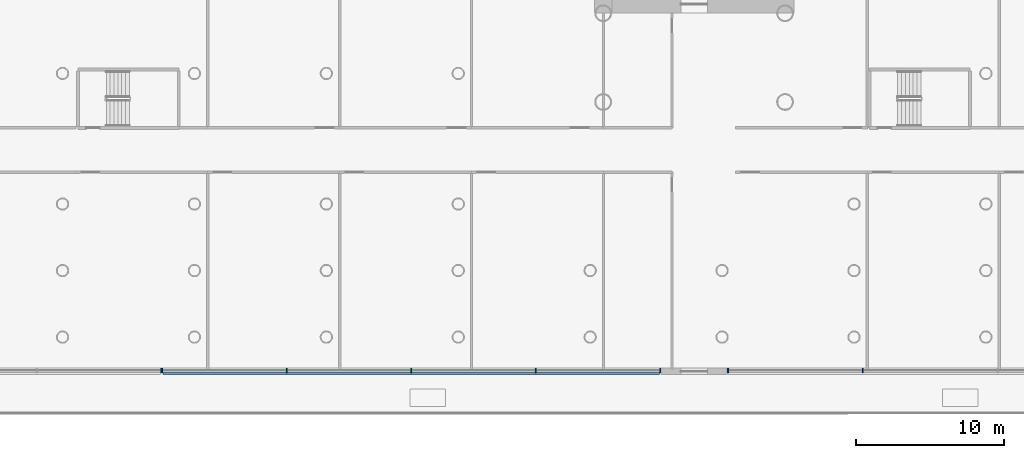
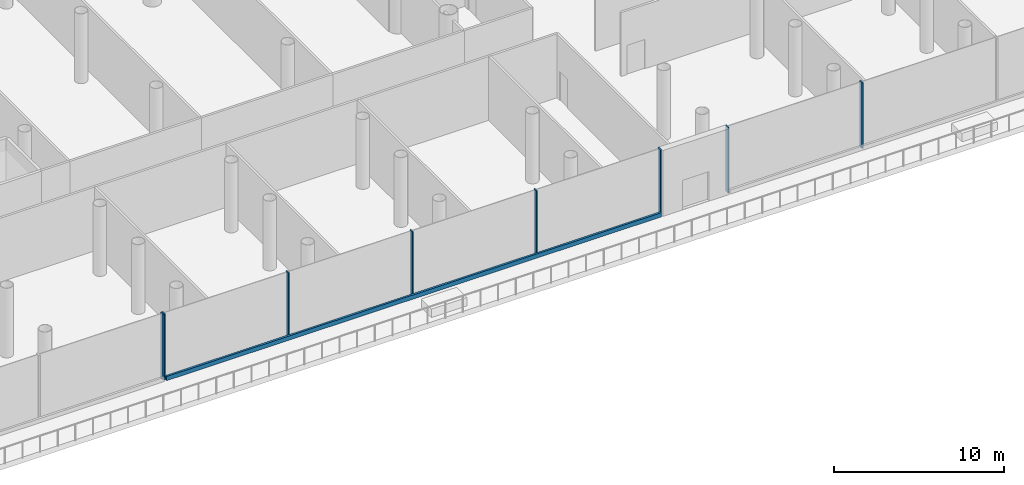
# One storey, part 8 of 59: 9 members, 3 elements without a shape of their own.
"""IFC4 building model written with IfcOpenShell, lengths in metres."""

from ifc_helpers import new_model, si_unit, direction, frame, origin, origin_2d, place, context, subcontext, project, spatial, rectangle, extrude, material, layer, layer_set, material_profile, profile_set, type_object, element, aggregate, save


model = new_model("IFC4")

# Units and contexts
model_context = context("Model", 3, precision=1e-05, world=origin(), true_north=direction((0.0, 1.0)))
body_context = subcontext(model_context, "Body", "Model", "MODEL_VIEW")
ifc_project = project(units=[si_unit("LENGTHUNIT", "METRE"), si_unit("AREAUNIT", "SQUARE_METRE"), si_unit("VOLUMEUNIT", "CUBIC_METRE"), si_unit("PLANEANGLEUNIT", "RADIAN"), si_unit("MASSUNIT", "GRAM", prefix="KILO")], contexts=[model_context])

# Site, building, storey
site_placement = place(None, origin())
site = spatial("IfcSite", under=ifc_project, at=site_placement, CompositionType="ELEMENT")
building_placement = place(site_placement, origin())
building = spatial("IfcBuilding", under=site, at=building_placement, Name="Ipe Terrace Towers", CompositionType="ELEMENT")
storey_placement = place(building_placement, frame((0.0, 0.0, 6.0)))
storey = spatial("IfcBuildingStorey", under=building, at=storey_placement, Name="L01", CompositionType="ELEMENT", Elevation=6.0)

# Curtain wall, member
ifc_material_1 = material(Name="Aluminium alloy 6063-T6", Category="aluminium")
ifc_layer = layer(ifc_material_1, 0.43994140625)
ifc_layer_set = layer_set([ifc_layer], Name="PODIUM GLAZING CURTAIN WALL")
curtain_wall_type = type_object("IfcCurtainWallType", Name="PODIUM GLAZING CURTAIN WALL", PredefinedType="NOTDEFINED", material=ifc_layer_set)
curtain_wall_1_placement = place(storey_placement, origin())
curtain_wall_1 = element("IfcCurtainWall", 1, at=curtain_wall_1_placement, inside=storey, type_object=curtain_wall_type, Name="POD-CW-L01-03c curtain wall", PredefinedType="NOTDEFINED")
ifc_material_2 = material(Name="Aluminium alloy 6063-T6", Category="aluminium")
ifc_material_profile_1 = material_profile(ifc_material_2, rectangle(XDim=0.300048828125, YDim=0.080078125, at=origin_2d()), Name="PODIUM GLAZING MULLION 300 x 80")
ifc_profile_set_1 = profile_set([ifc_material_profile_1], Name="Aluminium alloy 6063-T6")
member_type_1 = type_object("IfcMemberType", Name="PODIUM GLAZING MULLION 300 x 80", PredefinedType="MULLION", material=ifc_profile_set_1)
member_1_placement = place(storey_placement, frame((-0.0400390625, -39.89990234375, -0.02001953125), z_axis=(0.0, 0.0, 1.0), x_axis=(0.0, -1.0, 0.0)))
member_1 = element("IfcMember", 2, at=member_1_placement, type_object=member_type_1, Name="POD-CW-L01-03c mullion 5", PredefinedType="MULLION", context=body_context, shape_type="SweptSolid", body=[
    extrude(rectangle(XDim=0.300048828125, YDim=0.080078125, at=origin_2d()), origin(), (0.0, 0.0, 1.0), 4.719970703125),
])
aggregate(curtain_wall_1, [member_1])

# Curtain wall, members
curtain_wall_2_placement = place(storey_placement, origin())
curtain_wall_2 = element("IfcCurtainWall", 3, at=curtain_wall_2_placement, inside=storey, type_object=curtain_wall_type, Name="POD-CW-L01-03d curtain wall", PredefinedType="NOTDEFINED")
member_2_placement = place(storey_placement, frame((0.0400390625, -39.89990234375, -0.02001953125), z_axis=(0.0, 0.0, 1.0), x_axis=(0.0, -1.0, 0.0)))
member_2 = element("IfcMember", 4, at=member_2_placement, type_object=member_type_1, Name="POD-CW-L01-03d mullion 1", PredefinedType="MULLION", context=body_context, shape_type="SweptSolid", body=[
    extrude(rectangle(XDim=0.300048828125, YDim=0.080078125, at=origin_2d()), origin(), (0.0, 0.0, 1.0), 4.719970703125),
])
member_3_placement = place(storey_placement, frame((8.45751953125, -39.89990234375, -0.02001953125), z_axis=(0.0, 0.0, 1.0), x_axis=(0.0, -1.0, 0.0)))
member_3 = element("IfcMember", 5, at=member_3_placement, type_object=member_type_1, Name="POD-CW-L01-03d mullion 2", PredefinedType="MULLION", context=body_context, shape_type="SweptSolid", body=[
    extrude(rectangle(XDim=0.300048828125, YDim=0.080078125, at=origin_2d()), origin(), (0.0, 0.0, 1.0), 4.719970703125),
])
member_4_placement = place(storey_placement, frame((16.875, -39.89990234375, -0.02001953125), z_axis=(0.0, 0.0, 1.0), x_axis=(0.0, -1.0, 0.0)))
member_4 = element("IfcMember", 6, at=member_4_placement, type_object=member_type_1, Name="POD-CW-L01-03d mullion 3", PredefinedType="MULLION", context=body_context, shape_type="SweptSolid", body=[
    extrude(rectangle(XDim=0.300048828125, YDim=0.080078125, at=origin_2d()), origin(), (0.0, 0.0, 1.0), 4.719970703125),
])
member_5_placement = place(storey_placement, frame((25.29248046875, -39.89990234375, -0.02001953125), z_axis=(0.0, 0.0, 1.0), x_axis=(0.0, -1.0, 0.0)))
member_5 = element("IfcMember", 7, at=member_5_placement, type_object=member_type_1, Name="POD-CW-L01-03d mullion 4", PredefinedType="MULLION", context=body_context, shape_type="SweptSolid", body=[
    extrude(rectangle(XDim=0.300048828125, YDim=0.080078125, at=origin_2d()), origin(), (0.0, 0.0, 1.0), 4.719970703125),
])
member_6_placement = place(storey_placement, frame((33.7099609375, -39.89990234375, -0.02001953125), z_axis=(0.0, 0.0, 1.0), x_axis=(0.0, -1.0, 0.0)))
member_6 = element("IfcMember", 8, at=member_6_placement, type_object=member_type_1, Name="POD-CW-L01-03d mullion 5", PredefinedType="MULLION", context=body_context, shape_type="SweptSolid", body=[
    extrude(rectangle(XDim=0.300048828125, YDim=0.080078125, at=origin_2d()), origin(), (0.0, 0.0, 1.0), 4.719970703125),
])

curtain_wall_3_placement = place(storey_placement, origin())
curtain_wall_3 = element("IfcCurtainWall", 9, at=curtain_wall_3_placement, inside=storey, type_object=curtain_wall_type, Name="POD-CW-L01-03f curtain wall", PredefinedType="NOTDEFINED")
member_7_placement = place(storey_placement, frame((38.2900390625, -39.89990234375, -0.02001953125), z_axis=(0.0, 0.0, 1.0), x_axis=(0.0, -1.0, 0.0)))
member_7 = element("IfcMember", 10, at=member_7_placement, type_object=member_type_1, Name="POD-CW-L01-03f mullion 1", PredefinedType="MULLION", context=body_context, shape_type="SweptSolid", body=[
    extrude(rectangle(XDim=0.300048828125, YDim=0.080078125, at=origin_2d()), origin(), (0.0, 0.0, 1.0), 4.719970703125),
])
member_8_placement = place(storey_placement, frame((47.409912109375, -39.89990234375, -0.02001953125), z_axis=(0.0, 0.0, 1.0), x_axis=(0.0, -1.0, 0.0)))
member_8 = element("IfcMember", 11, at=member_8_placement, type_object=member_type_1, Name="POD-CW-L01-03f mullion 2", PredefinedType="MULLION", context=body_context, shape_type="SweptSolid", body=[
    extrude(rectangle(XDim=0.300048828125, YDim=0.080078125, at=origin_2d()), origin(), (0.0, 0.0, 1.0), 4.719970703125),
])
aggregate(curtain_wall_3, [member_7, member_8])

# Member
ifc_material_3 = material(Name="Aluminium alloy 6063-T6", Category="aluminium")
ifc_material_profile_2 = material_profile(ifc_material_3, rectangle(XDim=0.139892578125, YDim=0.300048828125, at=origin_2d()), Name="PODIUM GLAZING TRANSOM 140 x 300")
ifc_profile_set_2 = profile_set([ifc_material_profile_2], Name="Aluminium alloy 6063-T6")
member_type_2 = type_object("IfcMemberType", Name="PODIUM GLAZING TRANSOM 140 x 300", PredefinedType="USERDEFINED", material=ifc_profile_set_2)
member_9_placement = place(storey_placement, frame((0.080078125, -40.1201171875, 0.1298828125), z_axis=(1.0, 0.0, 0.0), x_axis=(0.0, -1.0, 0.0)))
member_9 = element("IfcMember", 12, at=member_9_placement, type_object=member_type_2, Name="POD-CW-L01-03d transom", ObjectType="TRANSOM", PredefinedType="USERDEFINED", context=body_context, shape_type="SweptSolid", body=[
    extrude(rectangle(XDim=0.139892578125, YDim=0.300048828125, at=origin_2d()), origin(), (0.0, 0.0, 1.0), 33.58984375),
])

aggregate(curtain_wall_2, [member_2, member_3, member_4, member_5, member_6, member_9])

save(model, "model.ifc")
